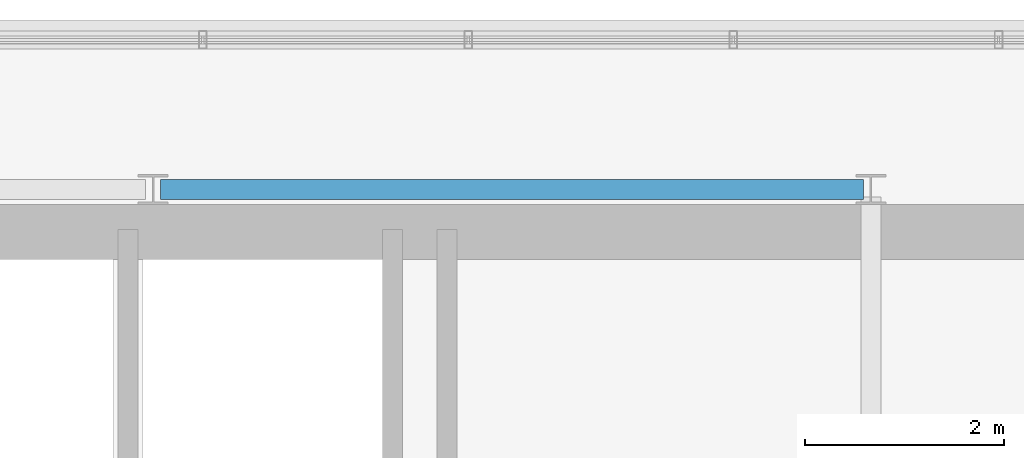
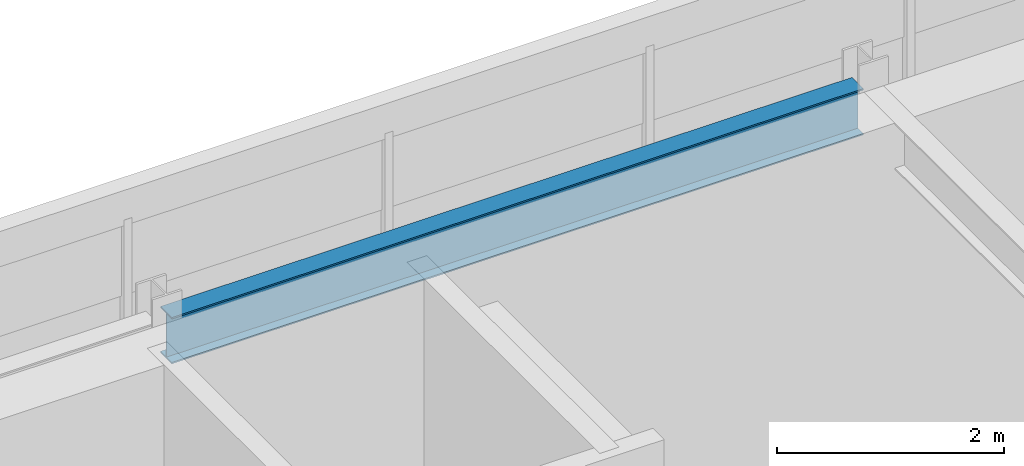
# One storey, part 14 of 37: 1 beam.
"""IFC4 building model written with IfcOpenShell, lengths in metres."""

from ifc_helpers import new_model, si_unit, direction, frame, origin, origin_2d, place, context, subcontext, project, spatial, i_section, extrude, source, transform, mapped, material, material_profile, profile_set, type_object, element, save


model = new_model("IFC4")

# Units and contexts
model_context = context("Model", 3, precision=1e-05, world=origin(), true_north=direction((0.0, 1.0)))
body_context = subcontext(model_context, "Body", "Model", "MODEL_VIEW")
ifc_project = project(units=[si_unit("LENGTHUNIT", "METRE"), si_unit("AREAUNIT", "SQUARE_METRE"), si_unit("VOLUMEUNIT", "CUBIC_METRE"), si_unit("PLANEANGLEUNIT", "RADIAN"), si_unit("MASSUNIT", "GRAM", prefix="KILO")], contexts=[model_context])

# Site, building, storey
site_placement = place(None, origin())
site = spatial("IfcSite", under=ifc_project, at=site_placement, CompositionType="ELEMENT")
building_placement = place(site_placement, origin())
building = spatial("IfcBuilding", under=site, at=building_placement, Name="Trelvane Seafront Commons", CompositionType="ELEMENT")
storey_placement = place(building_placement, frame((0.0, 0.0, 303.5)))
storey = spatial("IfcBuildingStorey", under=building, at=storey_placement, Name="L79", CompositionType="ELEMENT", Elevation=303.5)

# Beam
ifc_material = material(Name="Steel SM355 (S355)", Category="steel")
ifc_material_profile = material_profile(ifc_material, i_section(OverallWidth=0.199951171875, OverallDepth=0.5, WebThickness=0.010009765625, FlangeThickness=0.01611328125, at=origin_2d()), Name="H-500x200x10x16")
ifc_profile_set = profile_set([ifc_material_profile], Name="Steel SM355 (S355)")
beam_type = type_object("IfcBeamType", Name="STR-CROWN-FRAME-RING", PredefinedType="SPANDREL", material=ifc_profile_set)
shared_shape = source(origin(), body_context, "Body", "SweptSolid", [
    extrude(i_section(OverallWidth=0.199951171875, OverallDepth=0.5, WebThickness=0.010009765625, FlangeThickness=0.01611328125, at=origin_2d()), origin(), (0.0, 0.0, 1.0), 7.0498046875),
])
beam_placement = place(storey_placement, frame((23.47509765625, 45.10009765625, 3.85009765625), z_axis=(1.0, 0.0, 0.0), x_axis=(0.0, 1.0, 0.0)))
element("IfcBeam", 1, at=beam_placement, inside=storey, type_object=beam_type, Name="L79 CROWN FRAME Ring Beam G-17", PredefinedType="SPANDREL", context=body_context, shape_type="MappedRepresentation", body=[
    mapped(shared_shape, transform((0.0, 0.0, 0.0), x_axis=(1.0, 0.0, 0.0), y_axis=(0.0, 1.0, 0.0), z_axis=(0.0, 0.0, 1.0), scale=1.0)),
])

save(model, "model.ifc")
